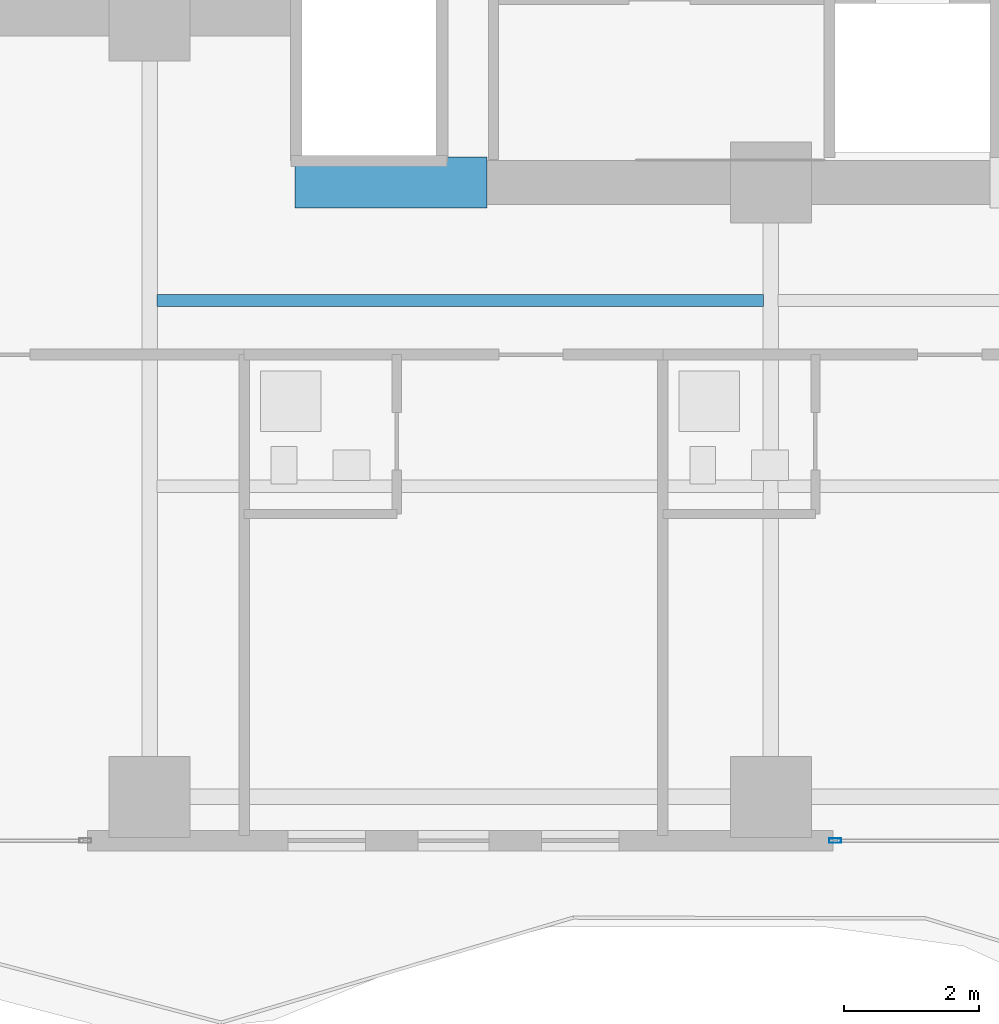
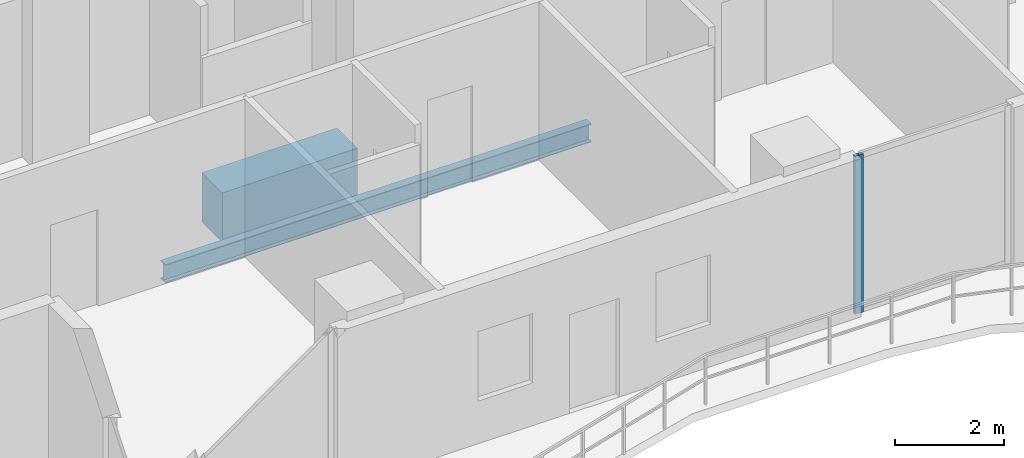
# One storey, part 5 of 32: 2 beams, 1 member, 1 element without a shape of its own.
"""IFC4 building model written with IfcOpenShell, lengths in metres."""

from ifc_helpers import new_model, si_unit, direction, frame, origin, origin_2d, place, context, subcontext, project, spatial, rectangle, hollow_rectangle, i_section, extrude, material, layer, layer_set, material_profile, profile_set, type_object, element, aggregate, save


model = new_model("IFC4")

# Units and contexts
model_context = context("Model", 3, precision=1e-05, world=origin(), true_north=direction((0.0, 1.0)))
body_context = subcontext(model_context, "Body", "Model", "MODEL_VIEW")
ifc_project = project(units=[si_unit("LENGTHUNIT", "METRE"), si_unit("AREAUNIT", "SQUARE_METRE"), si_unit("VOLUMEUNIT", "CUBIC_METRE"), si_unit("PLANEANGLEUNIT", "RADIAN"), si_unit("MASSUNIT", "GRAM", prefix="KILO")], contexts=[model_context])

# Site, building, storey
site_placement = place(None, origin())
site = spatial("IfcSite", under=ifc_project, at=site_placement, CompositionType="ELEMENT")
building_placement = place(site_placement, origin())
building = spatial("IfcBuilding", under=site, at=building_placement, Name="Zuhayl Quay Hotel", CompositionType="ELEMENT")
storey_placement = place(building_placement, frame((0.0, 0.0, 196.14990234375)))
storey = spatial("IfcBuildingStorey", under=building, at=storey_placement, Name="L49", CompositionType="ELEMENT", Elevation=196.14990234375)

# Beams
ifc_material_1 = material(Name="Concrete C60/75", Category="concrete")
ifc_material_profile_1 = material_profile(ifc_material_1, rectangle(XDim=0.75, YDim=1.10009765625, at=origin_2d()), Name="RC750X1100")
ifc_profile_set_1 = profile_set([ifc_material_profile_1], Name="Concrete C60/75")
beam_type_1 = type_object("IfcBeamType", Name="BM_CB2_RC750", PredefinedType="T_BEAM", material=ifc_profile_set_1)
beam_1_placement = place(storey_placement, frame((-11.64990234375, 2.14990234375, -0.77001953125), z_axis=(1.0, 0.0, 0.0), x_axis=(0.0, 1.0, 0.0)))
element("IfcBeam", 1, at=beam_1_placement, inside=storey, type_object=beam_type_1, Name="L49 Core Coupling Beam SW", PredefinedType="T_BEAM", context=body_context, shape_type="SweptSolid", body=[
    extrude(rectangle(XDim=0.75, YDim=1.10009765625, at=origin_2d()), origin(), (0.0, 0.0, 1.0), 2.849853515625),
])
ifc_material_2 = material(Name="Steel ASTM A992 Grade 50", Category="steel")
ifc_material_profile_2 = material_profile(ifc_material_2, i_section(OverallWidth=0.177978515625, OverallDepth=0.406005859375, WebThickness=0.0078125, FlangeThickness=0.0126953125, at=origin_2d()), Name="W16X40")
ifc_profile_set_2 = profile_set([ifc_material_profile_2], Name="Steel ASTM A992 Grade 50")
beam_type_2 = type_object("IfcBeamType", Name="BM_J2B_W16X40", PredefinedType="JOIST", material=ifc_profile_set_2)
beam_2_placement = place(storey_placement, frame((-13.694091796875, 0.39990234375, -0.4228515625), z_axis=(1.0, 0.0, 0.0), x_axis=(0.0, 1.0, 0.0)))
element("IfcBeam", 2, at=beam_2_placement, inside=storey, type_object=beam_type_2, Name="L49 Floor Beam FJ_L49_8_1", PredefinedType="JOIST", context=body_context, shape_type="SweptSolid", body=[
    extrude(i_section(OverallWidth=0.177978515625, OverallDepth=0.406005859375, WebThickness=0.0078125, FlangeThickness=0.0126953125, at=origin_2d()), origin(), (0.0, 0.0, 1.0), 8.988037109375),
])

# Curtain wall, member
ifc_material_3 = material(Name="Anodised Aluminium 6063-T6", Category="aluminium")
ifc_layer = layer(ifc_material_3, 0.175048828125, Name="Anodised Aluminium 6063-T6", Category="aluminium")
ifc_layer_set = layer_set([ifc_layer], Name="Anodised Aluminium 6063-T6")
curtain_wall_type = type_object("IfcCurtainWallType", Name="CW_SYS_Z3", PredefinedType="USERDEFINED", material=ifc_layer_set)
curtain_wall_placement = place(storey_placement, origin())
curtain_wall = element("IfcCurtainWall", 3, at=curtain_wall_placement, inside=storey, type_object=curtain_wall_type, Name="L49 Curtain Wall ENV_L49_S_CW4", ObjectType="UNITISED CURTAIN WALL", PredefinedType="USERDEFINED")
ifc_material_4 = material(Name="Black-anodised aluminium 6063-T6", Category="aluminium")
ifc_material_profile_3 = material_profile(ifc_material_4, hollow_rectangle(XDim=0.06494140625, YDim=0.179931640625, WallThickness=0.00341796875, at=origin_2d()), Name="ALU180X65")
ifc_profile_set_3 = profile_set([ifc_material_profile_3], Name="Black-anodised aluminium 6063-T6")
member_type = type_object("IfcMemberType", Name="MB_CW_MUL_180", PredefinedType="MULLION", material=ifc_profile_set_3)
member_placement = place(storey_placement, frame((-3.6474609375, -7.60009765625, 0.0), z_axis=(0.0, 0.0, 1.0), x_axis=(0.0, -1.0, 0.0)))
member = element("IfcMember", 4, at=member_placement, type_object=member_type, Name="CW-Z3 mullion 2", PredefinedType="MULLION", context=body_context, shape_type="SweptSolid", body=[
    extrude(hollow_rectangle(XDim=0.06494140625, YDim=0.179931640625, WallThickness=0.00341796875, at=origin_2d()), origin(), (0.0, 0.0, 1.0), 3.530029296875),
])
aggregate(curtain_wall, [member])

save(model, "model.ifc")
